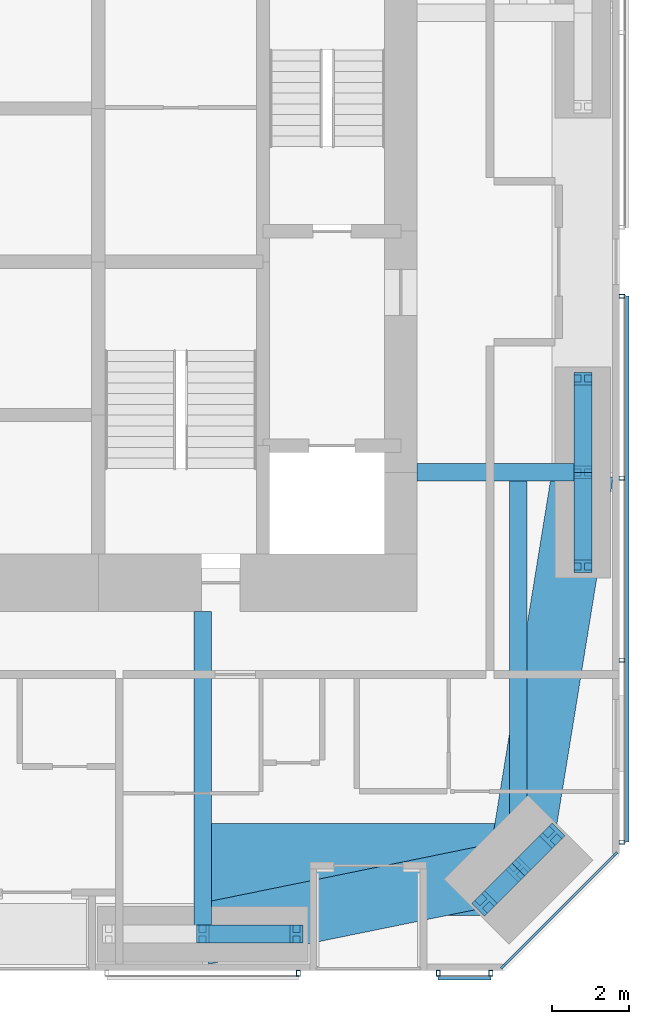
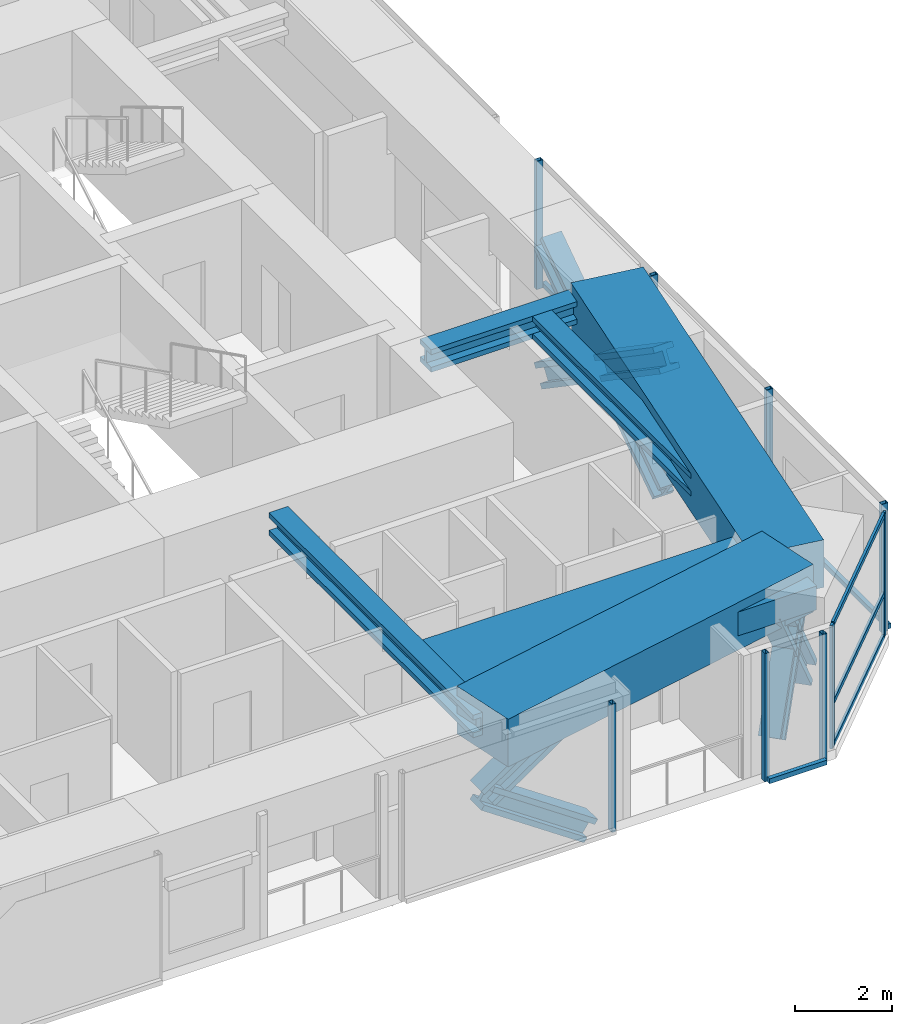
# One storey, part 9 of 25: 24 members, 6 beams, 4 elements without a shape of their own.
"""IFC4 building model written with IfcOpenShell, lengths in metres."""

from ifc_helpers import new_model, si_unit, direction, frame, origin, origin_2d, place, context, subcontext, project, spatial, rectangle, hollow_rectangle, i_section, extrude, material, material_profile, profile_set, type_object, element, aggregate, save


model = new_model("IFC4")

# Units and contexts
model_context = context("Model", 3, precision=1e-05, world=origin(), true_north=direction((0.0, 1.0)))
body_context = subcontext(model_context, "Body", "Model", "MODEL_VIEW")
ifc_project = project(units=[si_unit("LENGTHUNIT", "METRE"), si_unit("AREAUNIT", "SQUARE_METRE"), si_unit("VOLUMEUNIT", "CUBIC_METRE"), si_unit("PLANEANGLEUNIT", "RADIAN"), si_unit("MASSUNIT", "GRAM", prefix="KILO")], contexts=[model_context])

# Site, building, storey
site_placement = place(None, origin())
site = spatial("IfcSite", under=ifc_project, at=site_placement, CompositionType="ELEMENT")
building_placement = place(site_placement, origin())
building = spatial("IfcBuilding", under=site, at=building_placement, Name="Jalousie Tower", CompositionType="ELEMENT")
storey_placement = place(building_placement, frame((0.0, 0.0, 98.14990234375)))
storey = spatial("IfcBuildingStorey", under=building, at=storey_placement, Name="L26", CompositionType="ELEMENT", Elevation=98.14990234375)

# Curtain wall, members
ifc_material_1 = material(Name="Aluminium curtain wall", Category="aluminium")
curtain_wall_type_1 = type_object("IfcCurtainWallType", Name="CORNER WINDOW WALL", PredefinedType="USERDEFINED", material=ifc_material_1)
curtain_wall_1_placement = place(storey_placement, origin())
curtain_wall_1 = element("IfcCurtainWall", 1, at=curtain_wall_1_placement, inside=storey, type_object=curtain_wall_type_1, Name="Corner Window Wall L26 2", ObjectType="CORNER WINDOW WALL", PredefinedType="USERDEFINED")
ifc_material_2 = material(Name="Aluminium mullion", Category="aluminium")
ifc_material_profile_1 = material_profile(ifc_material_2, rectangle(XDim=0.06005859375, YDim=0.14990234375, at=origin_2d()), Name="MULLION 60x150")
ifc_profile_set_1 = profile_set([ifc_material_profile_1], Name="Aluminium mullion")
member_type_1 = type_object("IfcMemberType", Name="CORNER WINDOW WALL MULLION", PredefinedType="MULLION", material=ifc_profile_set_1)
member_1_placement = place(storey_placement, frame((46.469970703125, 0.108642578125, 0.0), z_axis=(0.0, 0.0, 1.0), x_axis=(-0.707106781187, 0.707106781187, 0.0)))
member_1 = element("IfcMember", 2, at=member_1_placement, type_object=member_type_1, Name="CW-C mullion 1", PredefinedType="MULLION", context=body_context, shape_type="SweptSolid", body=[
    extrude(rectangle(XDim=0.06005859375, YDim=0.14990234375, at=origin_2d()), origin(), (0.0, 0.0, 1.0), 3.110107421875),
])
member_2_placement = place(storey_placement, frame((49.391357421875, 3.030029296875, 0.0), z_axis=(0.0, 0.0, 1.0), x_axis=(-0.707106781187, 0.707106781187, 0.0)))
member_2 = element("IfcMember", 3, at=member_2_placement, type_object=member_type_1, Name="CW-C mullion 2", PredefinedType="MULLION", context=body_context, shape_type="SweptSolid", body=[
    extrude(rectangle(XDim=0.06005859375, YDim=0.14990234375, at=origin_2d()), origin(), (0.0, 0.0, 1.0), 3.110107421875),
])
ifc_material_3 = material(Name="Aluminium transom", Category="aluminium")
ifc_material_profile_2 = material_profile(ifc_material_3, rectangle(XDim=0.06005859375, YDim=0.1201171875, at=origin_2d()), Name="TRANSOM 60x120")
ifc_profile_set_2 = profile_set([ifc_material_profile_2], Name="Aluminium transom")
member_type_2 = type_object("IfcMemberType", Name="CORNER WINDOW WALL TRANSOM", PredefinedType="USERDEFINED", material=ifc_profile_set_2)
member_3_placement = place(storey_placement, frame((46.4912109375, 0.1298828125, 0.030029296875), z_axis=(0.707106781187, 0.707106781187, 0.0), x_axis=(-0.707106781187, 0.707106781187, 0.0)))
member_3 = element("IfcMember", 4, at=member_3_placement, type_object=member_type_2, Name="CW-C transom 1.1", ObjectType="TRANSOM", PredefinedType="USERDEFINED", context=body_context, shape_type="SweptSolid", body=[
    extrude(rectangle(XDim=0.06005859375, YDim=0.1201171875, at=origin_2d()), origin(), (0.0, 0.0, 1.0), 4.0712890625),
])
member_4_placement = place(storey_placement, frame((46.4912109375, 0.1298828125, 1.10009765625), z_axis=(0.707106781187, 0.707106781187, 0.0), x_axis=(-0.707106781187, 0.707106781187, 0.0)))
member_4 = element("IfcMember", 5, at=member_4_placement, type_object=member_type_2, Name="CW-C transom 1.2", ObjectType="TRANSOM", PredefinedType="USERDEFINED", context=body_context, shape_type="SweptSolid", body=[
    extrude(rectangle(XDim=0.06005859375, YDim=0.1201171875, at=origin_2d()), origin(), (0.0, 0.0, 1.0), 4.0712890625),
])
member_5_placement = place(storey_placement, frame((46.4912109375, 0.1298828125, 3.080078125), z_axis=(0.707106781187, 0.707106781187, 0.0), x_axis=(-0.707106781187, 0.707106781187, 0.0)))
member_5 = element("IfcMember", 6, at=member_5_placement, type_object=member_type_2, Name="CW-C transom 1.3", ObjectType="TRANSOM", PredefinedType="USERDEFINED", context=body_context, shape_type="SweptSolid", body=[
    extrude(rectangle(XDim=0.06005859375, YDim=0.1201171875, at=origin_2d()), origin(), (0.0, 0.0, 1.0), 4.0712890625),
])
aggregate(curtain_wall_1, [member_1, member_2, member_3, member_4, member_5])

# Beams
ifc_material_4 = material(Name="Steel ASTM A992 Grade 50", Category="steel")
ifc_material_profile_3 = material_profile(ifc_material_4, i_section(OverallWidth=0.45458984375, OverallDepth=0.569091796875, WebThickness=0.077880859375, FlangeThickness=0.124755859375, at=origin_2d()), Name="W14X730")
ifc_profile_set_3 = profile_set([ifc_material_profile_3], Name="Steel ASTM A992 Grade 50")
beam_type_1 = type_object("IfcBeamType", Name="LEAN COLLECTOR W14X730", PredefinedType="BEAM", material=ifc_profile_set_3)
beam_1_placement = place(storey_placement, frame((38.625, 0.949951171875, 2.82568359375), z_axis=(0.0, 1.0, 0.0), x_axis=(-1.0, 0.0, 0.0)))
element("IfcBeam", 7, at=beam_1_placement, inside=storey, type_object=beam_type_1, Name="Lean collector under L27", PredefinedType="BEAM", context=body_context, shape_type="SweptSolid", body=[
    extrude(i_section(OverallWidth=0.45458984375, OverallDepth=0.569091796875, WebThickness=0.077880859375, FlangeThickness=0.124755859375, at=origin_2d()), origin(), (0.0, 0.0, 1.0), 8.425048828125),
])
beam_2_placement = place(storey_placement, frame((48.550048828125, 13.0, 2.82568359375), z_axis=(-1.0, 0.0, 0.0), x_axis=(0.0, -1.0, 0.0)))
element("IfcBeam", 8, at=beam_2_placement, inside=storey, type_object=beam_type_1, Name="Lean collector under L27", PredefinedType="BEAM", context=body_context, shape_type="SweptSolid", body=[
    extrude(i_section(OverallWidth=0.45458984375, OverallDepth=0.569091796875, WebThickness=0.077880859375, FlangeThickness=0.124755859375, at=origin_2d()), origin(), (0.0, 0.0, 1.0), 4.324951171875),
])
beam_3_placement = place(storey_placement, frame((46.86865234375, 2.63134765625, 2.82568359375), z_axis=(0.0, 1.0, 0.0), x_axis=(-1.0, 0.0, 0.0)))
element("IfcBeam", 9, at=beam_3_placement, inside=storey, type_object=beam_type_1, Name="Lean collector under L27", PredefinedType="BEAM", context=body_context, shape_type="SweptSolid", body=[
    extrude(i_section(OverallWidth=0.45458984375, OverallDepth=0.569091796875, WebThickness=0.077880859375, FlangeThickness=0.124755859375, at=origin_2d()), origin(), (0.0, 0.0, 1.0), 10.36865234375),
])

# Members
ifc_material_5 = material(Name="Steel ASTM A992 Grade 50", Category="steel")
ifc_material_profile_4 = material_profile(ifc_material_5, i_section(OverallWidth=0.472412109375, OverallDepth=0.5791015625, WebThickness=0.094970703125, FlangeThickness=0.1298828125, at=origin_2d()), Name="W14X808")
ifc_profile_set_4 = profile_set([ifc_material_profile_4], Name="Steel ASTM A992 Grade 50")
member_type_3 = type_object("IfcMemberType", Name="PERIMETER BRACE W14X808", PredefinedType="BRACE", material=ifc_profile_set_4)
for number, where, z_axis, x_axis, name in (
    (10, (38.625, 0.949951171875, 1.0751953125), (0.825539243753, 0.0, 0.564344714713), (0.0, 1.0, 0.0), "Perimeter brace 04 L26 part 2"),
    (11, (41.074951171875, 0.949951171875, -0.599853515625), (-0.825500916831, 0.0, 0.564400776321), (0.0, -1.0, 0.0), "Perimeter brace 04 L26 part 3"),
):
    element("IfcMember", number, at=place(storey_placement, frame(where, z_axis=z_axis, x_axis=x_axis)), inside=storey, type_object=member_type_3, Name=name, PredefinedType="BRACE", context=body_context, shape_type="SweptSolid", body=[
        extrude(i_section(OverallWidth=0.472412109375, OverallDepth=0.5791015625, WebThickness=0.094970703125, FlangeThickness=0.1298828125, at=origin_2d()), origin(), (0.0, 0.0, 1.0), 2.9677734375),
    ])
member_6_placement = place(storey_placement, frame((45.984619140625, 1.74755859375, -0.599853515625), z_axis=(0.422968528423, 0.422851718556, 0.801432497518), x_axis=(-0.70700912125, 0.707204427637, 0.0)))
element("IfcMember", 12, at=member_6_placement, inside=storey, type_object=member_type_3, Name="Perimeter brace 05 L26 part 1", PredefinedType="BRACE", context=body_context, shape_type="SweptSolid", body=[
    extrude(i_section(OverallWidth=0.472412109375, OverallDepth=0.5791015625, WebThickness=0.094970703125, FlangeThickness=0.1298828125, at=origin_2d()), origin(), (0.0, 0.0, 1.0), 2.090087890625),
])
member_7_placement = place(storey_placement, frame((46.86865234375, 2.63134765625, 1.0751953125), z_axis=(0.422891306588, 0.423008127391, 0.801390708065), x_axis=(-0.707204427637, 0.70700912125, 0.0)))
element("IfcMember", 13, at=member_7_placement, inside=storey, type_object=member_type_3, Name="Perimeter brace 05 L26 part 2", PredefinedType="BRACE", context=body_context, shape_type="SweptSolid", body=[
    extrude(i_section(OverallWidth=0.472412109375, OverallDepth=0.5791015625, WebThickness=0.094970703125, FlangeThickness=0.1298828125, at=origin_2d()), origin(), (0.0, 0.0, 1.0), 2.08984375),
])
member_8_placement = place(storey_placement, frame((47.75244140625, 3.515380859375, -0.599853515625), z_axis=(-0.422851718556, -0.422968528423, 0.801432497518), x_axis=(0.707204427637, -0.70700912125, 0.0)))
element("IfcMember", 14, at=member_8_placement, inside=storey, type_object=member_type_3, Name="Perimeter brace 05 L26 part 3", PredefinedType="BRACE", context=body_context, shape_type="SweptSolid", body=[
    extrude(i_section(OverallWidth=0.472412109375, OverallDepth=0.5791015625, WebThickness=0.094970703125, FlangeThickness=0.1298828125, at=origin_2d()), origin(), (0.0, 0.0, 1.0), 2.090087890625),
])
member_9_placement = place(storey_placement, frame((46.86865234375, 2.63134765625, 1.0751953125), z_axis=(-0.423008127391, -0.422891306588, 0.801390708065), x_axis=(0.70700912125, -0.707204427637, 0.0)))
element("IfcMember", 15, at=member_9_placement, inside=storey, type_object=member_type_3, Name="Perimeter brace 05 L26 part 4", PredefinedType="BRACE", context=body_context, shape_type="SweptSolid", body=[
    extrude(i_section(OverallWidth=0.472412109375, OverallDepth=0.5791015625, WebThickness=0.094970703125, FlangeThickness=0.1298828125, at=origin_2d()), origin(), (0.0, 0.0, 1.0), 2.08984375),
])
for number, where, z_axis, x_axis, name in (
    (16, (48.550048828125, 10.550048828125, -0.599853515625), (0.0, 0.825500916831, 0.564400776321), (-1.0, 0.0, 0.0), "Perimeter brace 06 L26 part 1"),
    (17, (48.550048828125, 13.0, 1.0751953125), (0.0, 0.825539243753, 0.564344714713), (-1.0, 0.0, 0.0), "Perimeter brace 06 L26 part 2"),
    (18, (48.550048828125, 15.449951171875, -0.599853515625), (0.0, -0.825500916831, 0.564400776321), (1.0, 0.0, 0.0), "Perimeter brace 06 L26 part 3"),
    (19, (48.550048828125, 13.0, 1.0751953125), (0.0, -0.825539243753, 0.564344714713), (1.0, 0.0, 0.0), "Perimeter brace 06 L26 part 4"),
):
    element("IfcMember", number, at=place(storey_placement, frame(where, z_axis=z_axis, x_axis=x_axis)), inside=storey, type_object=member_type_3, Name=name, PredefinedType="BRACE", context=body_context, shape_type="SweptSolid", body=[
        extrude(i_section(OverallWidth=0.472412109375, OverallDepth=0.5791015625, WebThickness=0.094970703125, FlangeThickness=0.1298828125, at=origin_2d()), origin(), (0.0, 0.0, 1.0), 2.9677734375),
    ])

# Beams
ifc_material_6 = material(Name="Concrete f'c 40 MPa", Category="concrete")
ifc_material_profile_5 = material_profile(ifc_material_6, rectangle(XDim=1.60009765625, YDim=1.199951171875, at=origin_2d()), Name="RC 1600x1200")
ifc_profile_set_5 = profile_set([ifc_material_profile_5], Name="Concrete f'c 40 MPa")
beam_type_2 = type_object("IfcBeamType", Name="RC BEAM 1600x1200", PredefinedType="BEAM", material=ifc_profile_set_5)
beam_4_placement = place(storey_placement, frame((38.625, 0.949951171875, 2.75), z_axis=(0.97982690954, 0.199848010602, 0.0), x_axis=(-0.199848010602, 0.97982690954, 0.0)))
element("IfcBeam", 20, at=beam_4_placement, inside=storey, type_object=beam_type_2, Name="Edge band beam 04-05 under L27", PredefinedType="BEAM", context=body_context, shape_type="SweptSolid", body=[
    extrude(rectangle(XDim=1.60009765625, YDim=1.199951171875, at=origin_2d()), origin(), (0.0, 0.0, 1.0), 8.413330078125),
])
beam_5_placement = place(storey_placement, frame((46.86865234375, 2.63134765625, 2.75), z_axis=(0.160070546476, 0.987105577003, 0.0), x_axis=(-0.987105577003, 0.160070546476, 0.0)))
element("IfcBeam", 21, at=beam_5_placement, inside=storey, type_object=beam_type_2, Name="Edge band beam 05-06 under L27", PredefinedType="BEAM", context=body_context, shape_type="SweptSolid", body=[
    extrude(rectangle(XDim=1.60009765625, YDim=1.199951171875, at=origin_2d()), origin(), (0.0, 0.0, 1.0), 10.504150390625),
])
ifc_material_7 = material(Name="Concrete f'c 40 MPa", Category="concrete")
ifc_material_profile_6 = material_profile(ifc_material_7, rectangle(XDim=2.39990234375, YDim=0.60009765625, at=origin_2d()), Name="RC 2400x600")
ifc_profile_set_6 = profile_set([ifc_material_profile_6], Name="Concrete f'c 40 MPa")
beam_type_3 = type_object("IfcBeamType", Name="RC BEAM 2400x600", PredefinedType="BEAM", material=ifc_profile_set_6)
beam_6_placement = place(storey_placement, frame((46.86865234375, 2.63134765625, 2.81005859375), z_axis=(-1.0, 0.0, 0.0), x_axis=(0.0, -1.0, 0.0)))
element("IfcBeam", 22, at=beam_6_placement, inside=storey, type_object=beam_type_3, Name="Floor band beam under L27", PredefinedType="BEAM", context=body_context, shape_type="SweptSolid", body=[
    extrude(rectangle(XDim=2.39990234375, YDim=0.60009765625, at=origin_2d()), origin(), (0.0, 0.0, 1.0), 8.24365234375),
])

# Curtain wall, member
ifc_material_8 = material(Name="Perforated aluminium sheet", Category="aluminium")
curtain_wall_type_2 = type_object("IfcCurtainWallType", Name="SOLAR SCREEN SS-1", PredefinedType="USERDEFINED", material=ifc_material_8)
curtain_wall_2_placement = place(storey_placement, origin())
curtain_wall_2 = element("IfcCurtainWall", 23, at=curtain_wall_2_placement, inside=storey, type_object=curtain_wall_type_2, Name="Solar screen L26", ObjectType="SOLAR SCREEN SS-1", PredefinedType="USERDEFINED")
ifc_material_9 = material(Name="Steel ASTM A500 Grade C", Category="steel")
ifc_material_profile_7 = material_profile(ifc_material_9, hollow_rectangle(XDim=0.1015625, YDim=0.15234375, WallThickness=0.00634765625, at=origin_2d()), Name="HSS6X4X1/4")
ifc_profile_set_7 = profile_set([ifc_material_profile_7], Name="Steel ASTM A500 Grade C")
member_type_4 = type_object("IfcMemberType", Name="SOLAR SCREEN SS-1 MULLION", PredefinedType="MULLION", material=ifc_profile_set_7)
member_10_placement = place(storey_placement, frame((41.125, -0.0712890625, -0.119873046875), z_axis=(0.0, 0.0, 1.0), x_axis=(1.0, 0.0, 0.0)))
member_10 = element("IfcMember", 24, at=member_10_placement, type_object=member_type_4, Name="SS1 post 2", PredefinedType="MULLION", context=body_context, shape_type="SweptSolid", body=[
    extrude(hollow_rectangle(XDim=0.1015625, YDim=0.15234375, WallThickness=0.00634765625, at=origin_2d()), origin(), (0.0, 0.0, 1.0), 3.22998046875),
])
aggregate(curtain_wall_2, [member_10])

# Curtain wall, members
curtain_wall_3_placement = place(storey_placement, origin())
curtain_wall_3 = element("IfcCurtainWall", 25, at=curtain_wall_3_placement, inside=storey, type_object=curtain_wall_type_2, Name="Solar screen L26", ObjectType="SOLAR SCREEN SS-1", PredefinedType="USERDEFINED")
member_11_placement = place(storey_placement, frame((44.77490234375, -0.0712890625, -0.119873046875), z_axis=(0.0, 0.0, 1.0), x_axis=(1.0, 0.0, 0.0)))
member_11 = element("IfcMember", 26, at=member_11_placement, type_object=member_type_4, Name="SS1 post 1", PredefinedType="MULLION", context=body_context, shape_type="SweptSolid", body=[
    extrude(hollow_rectangle(XDim=0.1015625, YDim=0.15234375, WallThickness=0.00634765625, at=origin_2d()), origin(), (0.0, 0.0, 1.0), 3.22998046875),
])
member_12_placement = place(storey_placement, frame((46.148681640625, -0.0712890625, -0.119873046875), z_axis=(0.0, 0.0, 1.0), x_axis=(1.0, 0.0, 0.0)))
member_12 = element("IfcMember", 27, at=member_12_placement, type_object=member_type_4, Name="SS1 post 2", PredefinedType="MULLION", context=body_context, shape_type="SweptSolid", body=[
    extrude(hollow_rectangle(XDim=0.1015625, YDim=0.15234375, WallThickness=0.00634765625, at=origin_2d()), origin(), (0.0, 0.0, 1.0), 3.22998046875),
])

curtain_wall_4_placement = place(storey_placement, origin())
curtain_wall_4 = element("IfcCurtainWall", 28, at=curtain_wall_4_placement, inside=storey, type_object=curtain_wall_type_2, Name="Solar screen L26", ObjectType="SOLAR SCREEN SS-1", PredefinedType="USERDEFINED")
member_13_placement = place(storey_placement, frame((49.5712890625, 3.351318359375, -0.119873046875), z_axis=(0.0, 0.0, 1.0), x_axis=(0.0, 1.0, 0.0)))
member_13 = element("IfcMember", 29, at=member_13_placement, type_object=member_type_4, Name="SS1 post 1", PredefinedType="MULLION", context=body_context, shape_type="SweptSolid", body=[
    extrude(hollow_rectangle(XDim=0.1015625, YDim=0.15234375, WallThickness=0.00634765625, at=origin_2d()), origin(), (0.0, 0.0, 1.0), 3.22998046875),
])
member_14_placement = place(storey_placement, frame((49.5712890625, 8.100830078125, -0.119873046875), z_axis=(0.0, 0.0, 1.0), x_axis=(0.0, 1.0, 0.0)))
member_14 = element("IfcMember", 30, at=member_14_placement, type_object=member_type_4, Name="SS1 post 2", PredefinedType="MULLION", context=body_context, shape_type="SweptSolid", body=[
    extrude(hollow_rectangle(XDim=0.1015625, YDim=0.15234375, WallThickness=0.00634765625, at=origin_2d()), origin(), (0.0, 0.0, 1.0), 3.22998046875),
])
member_15_placement = place(storey_placement, frame((49.5712890625, 12.850341796875, -0.119873046875), z_axis=(0.0, 0.0, 1.0), x_axis=(0.0, 1.0, 0.0)))
member_15 = element("IfcMember", 31, at=member_15_placement, type_object=member_type_4, Name="SS1 post 3", PredefinedType="MULLION", context=body_context, shape_type="SweptSolid", body=[
    extrude(hollow_rectangle(XDim=0.1015625, YDim=0.15234375, WallThickness=0.00634765625, at=origin_2d()), origin(), (0.0, 0.0, 1.0), 3.22998046875),
])
member_16_placement = place(storey_placement, frame((49.5712890625, 17.60009765625, -0.119873046875), z_axis=(0.0, 0.0, 1.0), x_axis=(0.0, 1.0, 0.0)))
member_16 = element("IfcMember", 32, at=member_16_placement, type_object=member_type_4, Name="SS1 post 4", PredefinedType="MULLION", context=body_context, shape_type="SweptSolid", body=[
    extrude(hollow_rectangle(XDim=0.1015625, YDim=0.15234375, WallThickness=0.00634765625, at=origin_2d()), origin(), (0.0, 0.0, 1.0), 3.22998046875),
])

# Member
ifc_material_10 = material(Name="Extruded aluminium screen rail", Category="aluminium")
ifc_material_profile_8 = material_profile(ifc_material_10, rectangle(XDim=0.1015625, YDim=0.1201171875, at=origin_2d()), Name="RAIL 102x120")
ifc_profile_set_8 = profile_set([ifc_material_profile_8], Name="Extruded aluminium screen rail")
member_type_5 = type_object("IfcMemberType", Name="SOLAR SCREEN SS-1 TRANSOM", PredefinedType="USERDEFINED", material=ifc_profile_set_8)
member_17_placement = place(storey_placement, frame((44.77490234375, -0.1982421875, -0.059814453125), z_axis=(1.0, 0.0, 0.0), x_axis=(0.0, 1.0, 0.0)))
member_17 = element("IfcMember", 33, at=member_17_placement, type_object=member_type_5, Name="SS1 rail", ObjectType="TRANSOM", PredefinedType="USERDEFINED", context=body_context, shape_type="SweptSolid", body=[
    extrude(rectangle(XDim=0.1015625, YDim=0.1201171875, at=origin_2d()), origin(), (0.0, 0.0, 1.0), 1.373779296875),
])

aggregate(curtain_wall_3, [member_11, member_12, member_17])

member_18_placement = place(storey_placement, frame((49.6982421875, 3.351318359375, -0.059814453125), z_axis=(0.0, 1.0, 0.0), x_axis=(-1.0, 0.0, 0.0)))
member_18 = element("IfcMember", 34, at=member_18_placement, type_object=member_type_5, Name="SS1 rail", ObjectType="TRANSOM", PredefinedType="USERDEFINED", context=body_context, shape_type="SweptSolid", body=[
    extrude(rectangle(XDim=0.1015625, YDim=0.1201171875, at=origin_2d()), origin(), (0.0, 0.0, 1.0), 14.248779296875),
])

aggregate(curtain_wall_4, [member_13, member_14, member_15, member_16, member_18])

save(model, "model.ifc")
